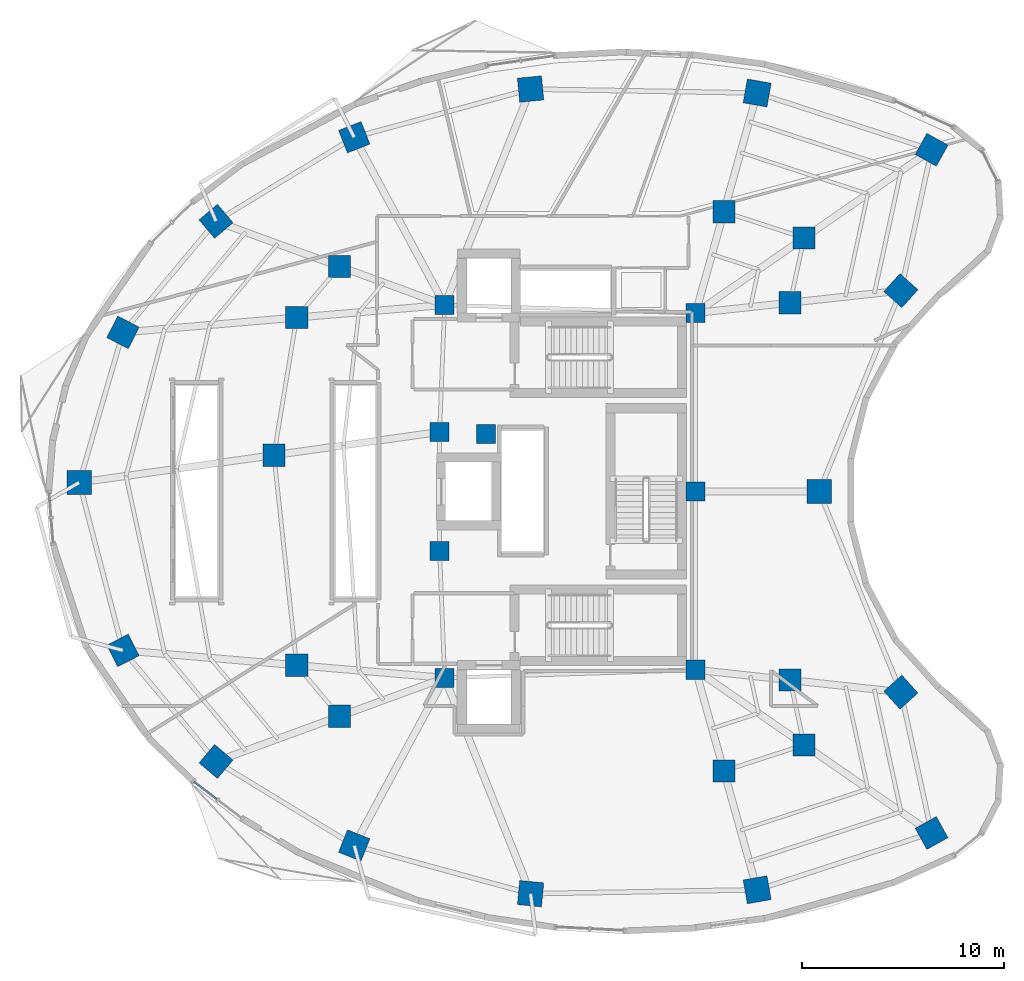
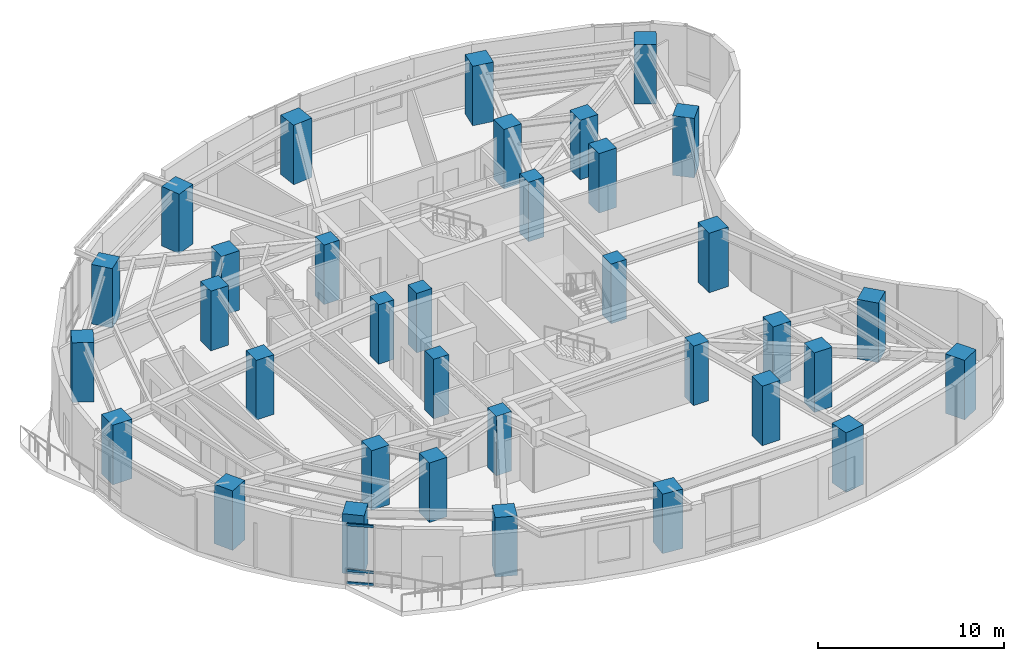
# One storey, part 1 of 12: 35 columns, 3 members, 1 element without a shape of its own.
"""IFC4 building model written with IfcOpenShell, lengths in metres."""

from ifc_helpers import new_model, si_unit, direction, frame, origin, origin_2d, place, context, subcontext, project, spatial, rectangle, extrude, material, layer, layer_set, material_profile, profile_set, type_object, element, aggregate, save


model = new_model("IFC4")

# Units and contexts
model_context = context("Model", 3, precision=1e-05, world=origin(), true_north=direction((0.0, 1.0)))
body_context = subcontext(model_context, "Body", "Model", "MODEL_VIEW")
ifc_project = project(units=[si_unit("LENGTHUNIT", "METRE"), si_unit("AREAUNIT", "SQUARE_METRE"), si_unit("VOLUMEUNIT", "CUBIC_METRE"), si_unit("PLANEANGLEUNIT", "RADIAN"), si_unit("MASSUNIT", "GRAM", prefix="KILO")], contexts=[model_context])

# Site, building, storey
site_placement = place(None, origin())
site = spatial("IfcSite", under=ifc_project, at=site_placement, CompositionType="ELEMENT")
building_placement = place(site_placement, origin())
building = spatial("IfcBuilding", under=site, at=building_placement, Name="Korentha Bioscience Tower", CompositionType="ELEMENT")
storey_placement = place(building_placement, frame((0.0, 0.0, 136.199951171875)))
storey = spatial("IfcBuildingStorey", under=building, at=storey_placement, Name="L31", CompositionType="ELEMENT", Elevation=136.199951171875)

# Columns
ifc_material_1 = material(Name="Concrete C65", Category="concrete")
ifc_material_profile_1 = material_profile(ifc_material_1, rectangle(XDim=0.949951171875, YDim=0.949951171875, at=origin_2d()), Name="Concrete C65")
ifc_profile_set_1 = profile_set([ifc_material_profile_1], Name="Concrete C65 (COL-CP09)")
column_type_1 = type_object("IfcColumnType", Name="Core Pilaster Column RC 950x950", PredefinedType="PILASTER", material=ifc_profile_set_1)
for number, where, z_axis, x_axis, name in (
    (1, (37.550048828125, 35.85009765625, -0.00048828125), (0.0, 0.0, 1.0), (1.0, 0.0, 0.0), "L31 Core Pilaster CP-01"),
    (2, (25.10009765625, 36.25, -0.00048828125), (0.0, 0.0, 1.0), (1.0, 0.0, 0.0), "L31 Core Pilaster CP-02"),
    (3, (24.85009765625, 29.949951171875, -0.00048828125), (0.0, 0.0, 1.0), (1.0, 0.0, 0.0), "L31 Core Pilaster CP-03"),
    (4, (27.14990234375, 29.85009765625, -0.00048828125), (0.0, 0.0, 1.0), (1.0, 0.0, 0.0), "L31 Core Pilaster CP-04"),
    (5, (24.85009765625, 24.050048828125, -0.00048828125), (0.0, 0.0, 1.0), (1.0, 0.0, 0.0), "L31 Core Pilaster CP-05"),
    (6, (25.10009765625, 17.75, -0.00048828125), (0.0, 0.0, 1.0), (1.0, 0.0, 0.0), "L31 Core Pilaster CP-06"),
    (7, (37.550048828125, 18.14990234375, -0.00048828125), (0.0, 0.0, 1.0), (1.0, 0.0, 0.0), "L31 Core Pilaster CP-07"),
    (8, (37.550048828125, 27.0, -0.00048828125), (0.0, 0.0, 1.0), (1.0, 0.0, 0.0), "L31 Core Pilaster CP-08"),
):
    element("IfcColumn", number, at=place(storey_placement, frame(where, z_axis=z_axis, x_axis=x_axis)), inside=storey, type_object=column_type_1, Name=name, PredefinedType="PILASTER", context=body_context, shape_type="SweptSolid", body=[
        extrude(rectangle(XDim=0.949951171875, YDim=0.949951171875, at=origin_2d()), origin(), (0.0, 0.0, 1.0), 3.901123046875),
    ])
ifc_material_2 = material(Name="Concrete C80", Category="concrete")
ifc_material_profile_2 = material_profile(ifc_material_2, rectangle(XDim=1.10009765625, YDim=1.10009765625, at=origin_2d()), Name="Concrete C80")
ifc_profile_set_2 = profile_set([ifc_material_profile_2], Name="Concrete C80 (COL-MR11)")
column_type_2 = type_object("IfcColumnType", Name="Mid-Ring Lab Column RC 1100x1100", PredefinedType="COLUMN", material=ifc_profile_set_2)
for number, where, z_axis, x_axis, name in (
    (9, (42.93603515625, 39.57470703125, -0.00048828125), (0.0, 0.0, 1.0), (1.0, 0.0, 0.0), "L31 Mid-Ring Column 01"),
    (10, (38.954833984375, 40.870849609375, -0.00048828125), (0.0, 0.0, 1.0), (1.0, 0.0, 0.0), "L31 Mid-Ring Column 02"),
    (11, (19.882568359375, 38.158935546875, -0.00048828125), (0.0, 0.0, 1.0), (1.0, 0.0, 0.0), "L31 Mid-Ring Column 05"),
    (12, (17.75927734375, 35.6240234375, -0.00048828125), (0.0, 0.0, 1.0), (1.0, 0.0, 0.0), "L31 Mid-Ring Column 06"),
    (13, (16.627197265625, 28.796630859375, -0.00048828125), (0.0, 0.0, 1.0), (1.0, 0.0, 0.0), "L31 Mid-Ring Column 07"),
    (14, (17.75927734375, 18.3759765625, -0.00048828125), (0.0, 0.0, 1.0), (1.0, 0.0, 0.0), "L31 Mid-Ring Column 08"),
    (15, (19.882568359375, 15.841064453125, -0.00048828125), (0.0, 0.0, 1.0), (1.0, 0.0, 0.0), "L31 Mid-Ring Column 09"),
    (16, (38.954833984375, 13.129150390625, -0.00048828125), (0.0, 0.0, 1.0), (1.0, 0.0, 0.0), "L31 Mid-Ring Column 12"),
    (17, (42.93603515625, 14.42529296875, -0.00048828125), (0.0, 0.0, 1.0), (1.0, 0.0, 0.0), "L31 Mid-Ring Column 13"),
    (18, (42.235595703125, 17.639404296875, -0.00048828125), (0.0, 0.0, 1.0), (1.0, 0.0, 0.0), "L31 Mid-Ring Column 14"),
    (19, (42.235595703125, 36.360595703125, -0.00048828125), (0.0, 0.0, 1.0), (1.0, 0.0, 0.0), "L31 Mid-Ring Column 16"),
):
    element("IfcColumn", number, at=place(storey_placement, frame(where, z_axis=z_axis, x_axis=x_axis)), inside=storey, type_object=column_type_2, Name=name, PredefinedType="COLUMN", context=body_context, shape_type="SweptSolid", body=[
        extrude(rectangle(XDim=1.10009765625, YDim=1.10009765625, at=origin_2d()), origin(), (0.0, 0.0, 1.0), 3.901123046875),
    ])
ifc_material_profile_3 = material_profile(ifc_material_2, rectangle(XDim=1.199951171875, YDim=1.199951171875, at=origin_2d()), Name="Concrete C80")
ifc_profile_set_3 = profile_set([ifc_material_profile_3], Name="Concrete C80 (COL-P12)")
column_type_3 = type_object("IfcColumnType", Name="Perimeter Column RC 1200x1200", PredefinedType="COLUMN", material=ifc_profile_set_3)
for number, where, z_axis, x_axis, name in (
    (20, (49.2587890625, 43.947021484375, -0.00048828125), (0.0, 0.0, 1.0), (-0.874535078577, 0.484962262797, 0.0), "L31 Perimeter Column 01"),
    (21, (40.604248046875, 46.764892578125, -0.00048828125), (0.0, 0.0, 1.0), (-0.984868307662, 0.173304404339, 0.0), "L31 Perimeter Column 02"),
    (22, (29.3642578125, 46.959228515625, -0.00048828125), (0.0, 0.0, 1.0), (0.995462868748, 0.095150811579, 0.0), "L31 Perimeter Column 03"),
    (23, (20.614990234375, 44.5693359375, -0.00048828125), (0.0, 0.0, 1.0), (0.930225540858, 0.366988341962, 0.0), "L31 Perimeter Column 04"),
    (24, (13.7578125, 40.400146484375, -0.00048828125), (0.0, 0.0, 1.0), (0.764246456939, 0.644924300253, 0.0), "L31 Perimeter Column 05"),
    (25, (9.141845703125, 34.889404296875, -0.00048828125), (0.0, 0.0, 1.0), (0.453057191132, 0.891481453292, 0.0), "L31 Perimeter Column 06"),
    (26, (6.97412109375, 27.4423828125, -0.00048828125), (0.0, 0.0, 1.0), (0.0, 1.0, 0.0), "L31 Perimeter Column 07"),
    (27, (9.141845703125, 19.110595703125, -0.00048828125), (0.0, 0.0, 1.0), (-0.453057191132, 0.891481453292, 0.0), "L31 Perimeter Column 08"),
    (28, (13.7578125, 13.599853515625, -0.00048828125), (0.0, 0.0, 1.0), (-0.764246456939, 0.644924300253, 0.0), "L31 Perimeter Column 09"),
    (29, (20.614990234375, 9.4306640625, -0.00048828125), (0.0, 0.0, 1.0), (-0.930225540858, 0.366988341962, 0.0), "L31 Perimeter Column 10"),
    (30, (29.3642578125, 7.040771484375, -0.00048828125), (0.0, 0.0, 1.0), (-0.995462868748, 0.095150811579, 0.0), "L31 Perimeter Column 11"),
    (31, (40.604248046875, 7.235107421875, -0.00048828125), (0.0, 0.0, 1.0), (0.984868307662, 0.173304404339, 0.0), "L31 Perimeter Column 12"),
    (32, (49.2587890625, 10.052978515625, -0.00048828125), (0.0, 0.0, 1.0), (0.874535078577, 0.484962262797, 0.0), "L31 Perimeter Column 13"),
    (33, (47.736083984375, 17.040283203125, -0.00048828125), (0.0, 0.0, 1.0), (-0.669130606359, 0.743144825477, 0.0), "L31 Perimeter Column 14"),
    (34, (43.680908203125, 27.0, -0.00048828125), (0.0, 0.0, 1.0), (0.0, 1.0, 0.0), "L31 Perimeter Column 15"),
    (35, (47.736083984375, 36.959716796875, -0.00048828125), (0.0, 0.0, 1.0), (0.669130606359, 0.743144825477, 0.0), "L31 Perimeter Column 16"),
):
    element("IfcColumn", number, at=place(storey_placement, frame(where, z_axis=z_axis, x_axis=x_axis)), inside=storey, type_object=column_type_3, Name=name, PredefinedType="COLUMN", context=body_context, shape_type="SweptSolid", body=[
        extrude(rectangle(XDim=1.199951171875, YDim=1.199951171875, at=origin_2d()), origin(), (0.0, 0.0, 1.0), 3.901123046875),
    ])

# Curtain wall, members
ifc_material_3 = material(Name="Thermally Broken Aluminium Frame", Category="aluminium")
ifc_layer = layer(ifc_material_3, 0.219970703125, Name="Thermally Broken Aluminium Frame")
ifc_layer_set = layer_set([ifc_layer], Name="Thermally Broken Aluminium Frame (CW-T1)")
curtain_wall_type = type_object("IfcCurtainWallType", Name="Standard Bioscience Lab Unitised Curtain Wall CW-T1", PredefinedType="USERDEFINED", material=ifc_layer_set)
curtain_wall_placement = place(storey_placement, origin())
curtain_wall = element("IfcCurtainWall", 36, at=curtain_wall_placement, inside=storey, type_object=curtain_wall_type, Name="L31 Curtain Wall 25", ObjectType="UNITISED", PredefinedType="USERDEFINED")
ifc_material_4 = material(Name="Anodised Aluminium 6063-T6", Category="aluminium")
ifc_material_profile_4 = material_profile(ifc_material_4, rectangle(XDim=0.090087890625, YDim=0.159912109375, at=origin_2d()), Name="Anodised Aluminium 6063-T6")
ifc_profile_set_4 = profile_set([ifc_material_profile_4], Name="Anodised Aluminium 6063-T6 (CW-TRN)")
member_type = type_object("IfcMemberType", Name="Transom RECT 90x160", PredefinedType="USERDEFINED", material=ifc_profile_set_4)
member_1_placement = place(storey_placement, frame((12.659912109375, 12.601318359375, 0.045166015625), z_axis=(0.794559026989, -0.607186917374, 0.0), x_axis=(0.607186917374, 0.794559026989, 0.0)))
member_1 = element("IfcMember", 37, at=member_1_placement, type_object=member_type, Name="CW-L31-25 Bay 1 Transom 1", ObjectType="TRANSOM", PredefinedType="USERDEFINED", context=body_context, shape_type="SweptSolid", body=[
    extrude(rectangle(XDim=0.090087890625, YDim=0.159912109375, at=origin_2d()), origin(), (0.0, 0.0, 1.0), 1.4462890625),
])
member_2_placement = place(storey_placement, frame((12.659912109375, 12.601318359375, 0.85009765625), z_axis=(0.794559026989, -0.607186917374, 0.0), x_axis=(0.607186917374, 0.794559026989, 0.0)))
member_2 = element("IfcMember", 38, at=member_2_placement, type_object=member_type, Name="CW-L31-25 Bay 1 Transom 2", ObjectType="TRANSOM", PredefinedType="USERDEFINED", context=body_context, shape_type="SweptSolid", body=[
    extrude(rectangle(XDim=0.090087890625, YDim=0.159912109375, at=origin_2d()), origin(), (0.0, 0.0, 1.0), 1.4462890625),
])
member_3_placement = place(storey_placement, frame((12.659912109375, 12.601318359375, 3.85498046875), z_axis=(0.794559026989, -0.607186917374, 0.0), x_axis=(0.607186917374, 0.794559026989, 0.0)))
member_3 = element("IfcMember", 39, at=member_3_placement, type_object=member_type, Name="CW-L31-25 Bay 1 Transom 3", ObjectType="TRANSOM", PredefinedType="USERDEFINED", context=body_context, shape_type="SweptSolid", body=[
    extrude(rectangle(XDim=0.090087890625, YDim=0.159912109375, at=origin_2d()), origin(), (0.0, 0.0, 1.0), 1.4462890625),
])
aggregate(curtain_wall, [member_1, member_2, member_3])

save(model, "model.ifc")
